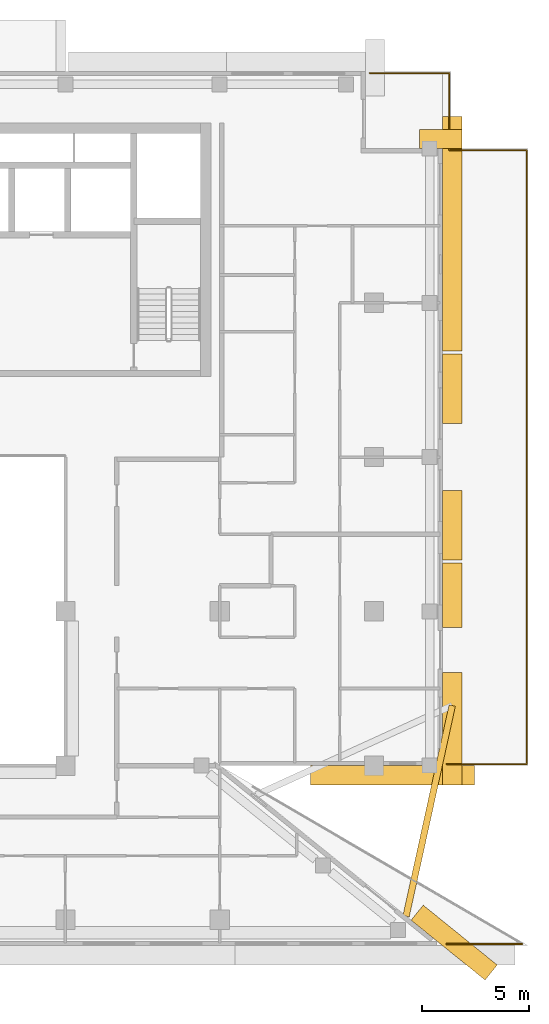
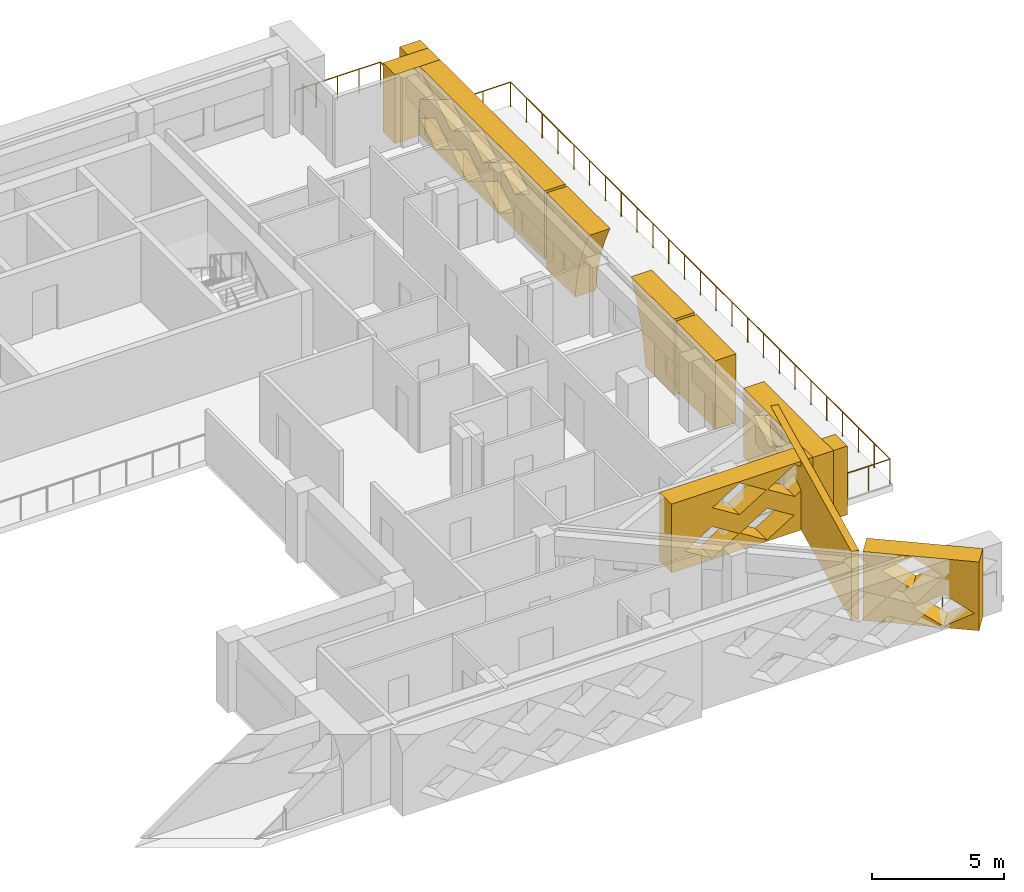
# One storey, part 19 of 19: 9 coverings, 2 railings.
"""IFC4 building model written with IfcOpenShell, lengths in metres."""

from ifc_helpers import new_model, si_unit, direction, frame, origin, origin_2d, place, context, subcontext, project, spatial, polyline, circle, outline, extrude, material, layer, layer_set, type_object, element, save


model = new_model("IFC4")

# Units and contexts
model_context = context("Model", 3, precision=1e-05, world=origin(), true_north=direction((0.0, 1.0)))
body_context = subcontext(model_context, "Body", "Model", "MODEL_VIEW")
ifc_project = project(units=[si_unit("LENGTHUNIT", "METRE"), si_unit("AREAUNIT", "SQUARE_METRE"), si_unit("VOLUMEUNIT", "CUBIC_METRE"), si_unit("PLANEANGLEUNIT", "RADIAN"), si_unit("MASSUNIT", "GRAM", prefix="KILO")], contexts=[model_context])

# Site, building, storey
site_placement = place(None, origin())
site = spatial("IfcSite", under=ifc_project, at=site_placement, CompositionType="ELEMENT")
building_placement = place(site_placement, origin())
building = spatial("IfcBuilding", under=site, at=building_placement, Name="Saffron Iwan Residences", CompositionType="ELEMENT")
storey_placement = place(building_placement, frame((0.0, 0.0, 211.5)))
storey = spatial("IfcBuildingStorey", under=building, at=storey_placement, Name="L56", CompositionType="ELEMENT", Elevation=211.5)

# Coverings
ifc_material_1 = material(Name="Precast concrete C40/50 white painted", Category="concrete")
covering_type_1 = type_object("IfcCoveringType", Name="IWAN PANEL PRECAST WHITE", PredefinedType="CLADDING", material=ifc_material_1)
covering_1_placement = place(storey_placement, frame((82.39990234375, 57.60009765625, -0.280029296875), z_axis=(1.0, 0.0, 0.0), x_axis=(0.0, 1.0, 0.0)))
element("IfcCovering", 1, at=covering_1_placement, inside=storey, type_object=covering_type_1, Name="Iwan panel L56 F2.0", PredefinedType="CLADDING", context=body_context, shape_type="SweptSolid", body=[
    extrude(outline(polyline([(0.0, 0.0), (0.0, 3.5), (3.233154296875, 3.5), (3.104736328125, 3.271484375), (2.8017578125, 2.614990234375), (2.55126953125, 1.93701171875), (2.354736328125, 1.241455078125), (2.21337890625, 0.532470703125), (2.150390625, 0.0), (0.0, 0.0)])), origin(), (0.0, 0.0, 1.0), 0.900146484375),
])
covering_2_placement = place(storey_placement, frame((82.39990234375, 57.60009765625, -0.280029296875), z_axis=(1.0, 0.0, 0.0), x_axis=(0.0, 1.0, 0.0)))
element("IfcCovering", 2, at=covering_2_placement, inside=storey, type_object=covering_type_1, Name="Iwan panel L56 F2.1", PredefinedType="CLADDING", context=body_context, shape_type="SweptSolid", body=[
    extrude(outline(polyline([(9.60009765625, 3.5), (9.60009765625, 0.0), (7.44970703125, 0.0), (7.386474609375, 0.532470703125), (7.245361328125, 1.241455078125), (7.048828125, 1.93701171875), (6.798095703125, 2.614990234375), (6.4951171875, 3.271484375), (6.366943359375, 3.5), (9.60009765625, 3.5)])), origin(), (0.0, 0.0, 1.0), 0.900146484375),
])
ifc_material_2 = material(Name="Precast concrete C40/50", Category="concrete")
covering_type_2 = type_object("IfcCoveringType", Name="OUTER SKIN LATTICE SCREEN", PredefinedType="CLADDING", material=ifc_material_2)
covering_3_placement = place(storey_placement, frame((84.387939453125, 37.994384765625, 0.050048828125), z_axis=(0.628558089533, 0.777762642509, 0.0), x_axis=(-0.777762642509, 0.628558089533, 0.0)))
element("IfcCovering", 3, at=covering_3_placement, inside=storey, type_object=covering_type_2, Name="OUTER SKIN lattice screen L56 F0.0", PredefinedType="CLADDING", context=body_context, shape_type="SweptSolid", body=[
    extrude(outline(polyline([(0.0, 0.0), (4.439697265625, 0.0), (4.439697265625, 3.169921875), (0.0, 3.169921875), (0.0, 0.0)]), holes=[polyline([(0.175537109375, 0.79248046875), (1.35546875, 0.06005859375), (2.535400390625, 0.79248046875), (1.35546875, 1.52490234375), (0.175537109375, 0.79248046875)]), polyline([(1.37548828125, 2.37744140625), (2.555419921875, 1.64501953125), (3.735595703125, 2.37744140625), (2.555419921875, 3.110107421875), (1.37548828125, 2.37744140625)])]), origin(), (0.0, 0.0, 1.0), 0.89990234375),
])
covering_4_placement = place(storey_placement, frame((76.235595703125, 48.0, 0.050048828125), z_axis=(0.0, -1.0, 0.0), x_axis=(1.0, 0.0, 0.0)))
element("IfcCovering", 4, at=covering_4_placement, inside=storey, type_object=covering_type_2, Name="OUTER SKIN lattice screen L56 F1.0", PredefinedType="CLADDING", context=body_context, shape_type="SweptSolid", body=[
    extrude(outline(polyline([(0.0, 0.0), (7.66455078125, 0.0), (7.66455078125, 3.169921875), (0.0, 3.169921875), (0.0, 0.0)]), holes=[polyline([(0.58447265625, 0.79248046875), (1.764404296875, 0.06005859375), (2.944580078125, 0.79248046875), (1.764404296875, 1.52490234375), (0.58447265625, 0.79248046875)]), polyline([(2.984619140625, 0.79248046875), (4.16455078125, 0.06005859375), (5.344482421875, 0.79248046875), (4.16455078125, 1.52490234375), (2.984619140625, 0.79248046875)]), polyline([(1.784423828125, 2.37744140625), (2.964599609375, 1.64501953125), (4.14453125, 2.37744140625), (2.964599609375, 3.110107421875), (1.784423828125, 2.37744140625)]), polyline([(4.1845703125, 2.37744140625), (5.364501953125, 1.64501953125), (6.54443359375, 2.37744140625), (5.364501953125, 3.110107421875), (4.1845703125, 2.37744140625)])]), origin(), (0.0, 0.0, 1.0), 0.89990234375),
])
covering_5_placement = place(storey_placement, frame((82.39990234375, 47.10009765625, 0.050048828125), z_axis=(1.0, 0.0, 0.0), x_axis=(0.0, 1.0, 0.0)))
element("IfcCovering", 5, at=covering_5_placement, inside=storey, type_object=covering_type_2, Name="OUTER SKIN lattice screen L56 F2.0", PredefinedType="CLADDING", context=body_context, shape_type="SweptSolid", body=[
    extrude(outline(polyline([(0.0, 0.0), (5.25, 0.0), (5.25, 3.169921875), (0.0, 3.169921875), (0.0, 0.0)]), holes=[polyline([(0.919921875, 0.79248046875), (2.10009765625, 0.06005859375), (3.280029296875, 0.79248046875), (2.10009765625, 1.52490234375), (0.919921875, 0.79248046875)]), polyline([(2.1201171875, 2.37744140625), (3.300048828125, 1.64501953125), (4.47998046875, 2.37744140625), (3.300048828125, 3.110107421875), (2.1201171875, 2.37744140625)])]), origin(), (0.0, 0.0, 1.0), 0.900146484375),
])
covering_6_placement = place(storey_placement, frame((82.39990234375, 54.449951171875, 0.050048828125), z_axis=(1.0, 0.0, 0.0), x_axis=(0.0, 1.0, 0.0)))
element("IfcCovering", 6, at=covering_6_placement, inside=storey, type_object=covering_type_2, Name="OUTER SKIN lattice screen L56 F2.1", PredefinedType="CLADDING", context=body_context, shape_type="SweptSolid", body=[
    extrude(outline(polyline([(0.0, 0.0), (3.0, 0.0), (3.0, 3.169921875), (0.0, 3.169921875), (0.0, 0.0)])), origin(), (0.0, 0.0, 1.0), 0.900146484375),
])
covering_7_placement = place(storey_placement, frame((82.39990234375, 67.35009765625, 0.050048828125), z_axis=(1.0, 0.0, 0.0), x_axis=(0.0, 1.0, 0.0)))
element("IfcCovering", 7, at=covering_7_placement, inside=storey, type_object=covering_type_2, Name="OUTER SKIN lattice screen L56 F2.2", PredefinedType="CLADDING", context=body_context, shape_type="SweptSolid", body=[
    extrude(outline(polyline([(0.0, 0.0), (10.949951171875, 0.0), (10.949951171875, 3.169921875), (0.0, 3.169921875), (0.0, 0.0)]), holes=[polyline([(2.27001953125, 0.79248046875), (3.449951171875, 0.06005859375), (4.6298828125, 0.79248046875), (3.449951171875, 1.52490234375), (2.27001953125, 0.79248046875)]), polyline([(4.669921875, 0.79248046875), (5.85009765625, 0.06005859375), (7.030029296875, 0.79248046875), (5.85009765625, 1.52490234375), (4.669921875, 0.79248046875)]), polyline([(7.070068359375, 0.79248046875), (8.25, 0.06005859375), (9.429931640625, 0.79248046875), (8.25, 1.52490234375), (7.070068359375, 0.79248046875)]), polyline([(1.070068359375, 2.37744140625), (2.25, 1.64501953125), (3.429931640625, 2.37744140625), (2.25, 3.110107421875), (1.070068359375, 2.37744140625)]), polyline([(3.469970703125, 2.37744140625), (4.64990234375, 1.64501953125), (5.830078125, 2.37744140625), (4.64990234375, 3.110107421875), (3.469970703125, 2.37744140625)]), polyline([(5.8701171875, 2.37744140625), (7.050048828125, 1.64501953125), (8.22998046875, 2.37744140625), (7.050048828125, 3.110107421875), (5.8701171875, 2.37744140625)]), polyline([(8.27001953125, 2.37744140625), (9.449951171875, 1.64501953125), (10.6298828125, 2.37744140625), (9.449951171875, 3.110107421875), (8.27001953125, 2.37744140625)])]), origin(), (0.0, 0.0, 1.0), 0.900146484375),
])
covering_8_placement = place(storey_placement, frame((83.300048828125, 76.800048828125, 0.050048828125), z_axis=(0.0, 1.0, 0.0), x_axis=(-1.0, 0.0, 0.0)))
element("IfcCovering", 8, at=covering_8_placement, inside=storey, type_object=covering_type_2, Name="OUTER SKIN lattice screen L56 F3.0", PredefinedType="CLADDING", context=body_context, shape_type="SweptSolid", body=[
    extrude(outline(polyline([(0.0, 0.0), (1.97509765625, 0.0), (1.97509765625, 3.169921875), (0.0, 3.169921875), (0.0, 0.0)])), origin(), (0.0, 0.0, 1.0), 0.89990234375),
])
ifc_layer = layer(ifc_material_1, 0.300048828125)
ifc_layer_set = layer_set([ifc_layer], Name="Precast concrete C40/50 white painted")
covering_type_3 = type_object("IfcCoveringType", Name="PROW NOSE BLADE PRECAST WHITE", PredefinedType="CLADDING", material=ifc_layer_set)
covering_9_placement = place(storey_placement, frame((0.0, 0.0, 0.050048828125)))
element("IfcCovering", 9, at=covering_9_placement, inside=storey, type_object=covering_type_3, Name="Prow nose blade L56 a", PredefinedType="CLADDING", context=body_context, shape_type="SweptSolid", body=[
    extrude(outline(polyline([(80.847412109375, 40.9404296875), (83.001708984375, 50.769287109375), (82.70849609375, 50.83349609375), (80.55419921875, 41.004638671875), (80.847412109375, 40.9404296875)])), origin(), (0.0, 0.0, 1.0), 3.169921875),
])

# Railings
ifc_material_3 = material(Name="Stainless steel 316", Category="steel")
railing_type = type_object("IfcRailingType", Name="TERRACE GUARD 1150", PredefinedType="BALUSTRADE", material=ifc_material_3)
railing_1_placement = place(storey_placement, frame((86.12255859375, 39.675048828125, 0.050048828125)))
element("IfcRailing", 10, at=railing_1_placement, inside=storey, type_object=railing_type, Name="Terrace guard L56 1", PredefinedType="BALUSTRADE", context=body_context, shape_type="SweptSolid", body=[
    extrude(circle(Radius=0.02392578125, at=origin_2d()), frame((0.0, 0.0, 1.1259765625), z_axis=(-1.0, 0.0, 0.0), x_axis=(0.0, -1.0, 0.0)), (0.0, 0.0, 1.0), 3.537353515625),
    extrude(circle(Radius=0.02099609375, at=origin_2d()), origin(), (0.0, 0.0, 1.0), 1.101806640625),
    extrude(circle(Radius=0.02099609375, at=origin_2d()), frame((-1.17919921875, 0.0, 0.0)), (0.0, 0.0, 1.0), 1.101806640625),
    extrude(circle(Radius=0.02099609375, at=origin_2d()), frame((-2.358154296875, 0.0, 0.0)), (0.0, 0.0, 1.0), 1.101806640625),
    extrude(circle(Radius=0.02099609375, at=origin_2d()), frame((-3.537353515625, 0.0, 0.0)), (0.0, 0.0, 1.0), 1.101806640625),
])
railing_2_placement = place(storey_placement, frame((79.0, 80.324951171875, 0.050048828125)))
element("IfcRailing", 11, at=railing_2_placement, inside=storey, type_object=railing_type, Name="Terrace guard L56 3", PredefinedType="BALUSTRADE", context=body_context, shape_type="SweptSolid", body=[
    extrude(circle(Radius=0.02392578125, at=origin_2d()), frame((0.0, 0.0, 1.1259765625), z_axis=(1.0, 0.0, 0.0), x_axis=(0.0, 1.0, 0.0)), (0.0, 0.0, 1.0), 3.72509765625),
    extrude(circle(Radius=0.02392578125, at=origin_2d()), frame((3.72509765625, 0.0, 1.1259765625), z_axis=(0.0, -1.0, 0.0), x_axis=(1.0, 0.0, 0.0)), (0.0, 0.0, 1.0), 3.599853515625),
    extrude(circle(Radius=0.02392578125, at=origin_2d()), frame((3.72509765625, -3.599853515625, 1.1259765625), z_axis=(1.0, 0.0, 0.0), x_axis=(0.0, 1.0, 0.0)), (0.0, 0.0, 1.0), 3.599853515625),
    extrude(circle(Radius=0.02392578125, at=origin_2d()), frame((7.324951171875, -3.599853515625, 1.1259765625), z_axis=(0.0, -1.0, 0.0), x_axis=(1.0, 0.0, 0.0)), (0.0, 0.0, 1.0), 28.650146484375),
    extrude(circle(Radius=0.02392578125, at=origin_2d()), frame((7.324951171875, -32.25, 1.1259765625), z_axis=(-1.0, 0.0, 0.0), x_axis=(0.0, -1.0, 0.0)), (0.0, 0.0, 1.0), 3.724853515625),
    extrude(circle(Radius=0.02099609375, at=origin_2d()), origin(), (0.0, 0.0, 1.0), 1.101806640625),
    extrude(circle(Radius=0.02099609375, at=origin_2d()), frame((0.93115234375, 0.0, 0.0)), (0.0, 0.0, 1.0), 1.101806640625),
    extrude(circle(Radius=0.02099609375, at=origin_2d()), frame((1.862548828125, 0.0, 0.0)), (0.0, 0.0, 1.0), 1.101806640625),
    extrude(circle(Radius=0.02099609375, at=origin_2d()), frame((2.7939453125, 0.0, 0.0)), (0.0, 0.0, 1.0), 1.101806640625),
    extrude(circle(Radius=0.02099609375, at=origin_2d()), frame((3.72509765625, 0.0, 0.0)), (0.0, 0.0, 1.0), 1.101806640625),
    extrude(circle(Radius=0.02099609375, at=origin_2d()), frame((3.72509765625, -1.199951171875, 0.0)), (0.0, 0.0, 1.0), 1.101806640625),
    extrude(circle(Radius=0.02099609375, at=origin_2d()), frame((3.72509765625, -2.39990234375, 0.0)), (0.0, 0.0, 1.0), 1.101806640625),
    extrude(circle(Radius=0.02099609375, at=origin_2d()), frame((3.72509765625, -3.599853515625, 0.0)), (0.0, 0.0, 1.0), 1.101806640625),
    extrude(circle(Radius=0.02099609375, at=origin_2d()), frame((4.925048828125, -3.599853515625, 0.0)), (0.0, 0.0, 1.0), 1.101806640625),
    extrude(circle(Radius=0.02099609375, at=origin_2d()), frame((6.125, -3.599853515625, 0.0)), (0.0, 0.0, 1.0), 1.101806640625),
    extrude(circle(Radius=0.02099609375, at=origin_2d()), frame((7.324951171875, -3.599853515625, 0.0)), (0.0, 0.0, 1.0), 1.101806640625),
    extrude(circle(Radius=0.02099609375, at=origin_2d()), frame((7.324951171875, -4.793701171875, 0.0)), (0.0, 0.0, 1.0), 1.101806640625),
    extrude(circle(Radius=0.02099609375, at=origin_2d()), frame((7.324951171875, -5.9873046875, 0.0)), (0.0, 0.0, 1.0), 1.101806640625),
    extrude(circle(Radius=0.02099609375, at=origin_2d()), frame((7.324951171875, -7.18115234375, 0.0)), (0.0, 0.0, 1.0), 1.101806640625),
    extrude(circle(Radius=0.02099609375, at=origin_2d()), frame((7.324951171875, -8.375, 0.0)), (0.0, 0.0, 1.0), 1.101806640625),
    extrude(circle(Radius=0.02099609375, at=origin_2d()), frame((7.324951171875, -9.568603515625, 0.0)), (0.0, 0.0, 1.0), 1.101806640625),
    extrude(circle(Radius=0.02099609375, at=origin_2d()), frame((7.324951171875, -10.762451171875, 0.0)), (0.0, 0.0, 1.0), 1.101806640625),
    extrude(circle(Radius=0.02099609375, at=origin_2d()), frame((7.324951171875, -11.9560546875, 0.0)), (0.0, 0.0, 1.0), 1.101806640625),
    extrude(circle(Radius=0.02099609375, at=origin_2d()), frame((7.324951171875, -13.14990234375, 0.0)), (0.0, 0.0, 1.0), 1.101806640625),
    extrude(circle(Radius=0.02099609375, at=origin_2d()), frame((7.324951171875, -14.34375, 0.0)), (0.0, 0.0, 1.0), 1.101806640625),
    extrude(circle(Radius=0.02099609375, at=origin_2d()), frame((7.324951171875, -15.537353515625, 0.0)), (0.0, 0.0, 1.0), 1.101806640625),
    extrude(circle(Radius=0.02099609375, at=origin_2d()), frame((7.324951171875, -16.731201171875, 0.0)), (0.0, 0.0, 1.0), 1.101806640625),
    extrude(circle(Radius=0.02099609375, at=origin_2d()), frame((7.324951171875, -17.9248046875, 0.0)), (0.0, 0.0, 1.0), 1.101806640625),
    extrude(circle(Radius=0.02099609375, at=origin_2d()), frame((7.324951171875, -19.11865234375, 0.0)), (0.0, 0.0, 1.0), 1.101806640625),
    extrude(circle(Radius=0.02099609375, at=origin_2d()), frame((7.324951171875, -20.3125, 0.0)), (0.0, 0.0, 1.0), 1.101806640625),
    extrude(circle(Radius=0.02099609375, at=origin_2d()), frame((7.324951171875, -21.506103515625, 0.0)), (0.0, 0.0, 1.0), 1.101806640625),
    extrude(circle(Radius=0.02099609375, at=origin_2d()), frame((7.324951171875, -22.699951171875, 0.0)), (0.0, 0.0, 1.0), 1.101806640625),
    extrude(circle(Radius=0.02099609375, at=origin_2d()), frame((7.324951171875, -23.893798828125, 0.0)), (0.0, 0.0, 1.0), 1.101806640625),
    extrude(circle(Radius=0.02099609375, at=origin_2d()), frame((7.324951171875, -25.08740234375, 0.0)), (0.0, 0.0, 1.0), 1.101806640625),
    extrude(circle(Radius=0.02099609375, at=origin_2d()), frame((7.324951171875, -26.28125, 0.0)), (0.0, 0.0, 1.0), 1.101806640625),
    extrude(circle(Radius=0.02099609375, at=origin_2d()), frame((7.324951171875, -27.47509765625, 0.0)), (0.0, 0.0, 1.0), 1.101806640625),
    extrude(circle(Radius=0.02099609375, at=origin_2d()), frame((7.324951171875, -28.668701171875, 0.0)), (0.0, 0.0, 1.0), 1.101806640625),
    extrude(circle(Radius=0.02099609375, at=origin_2d()), frame((7.324951171875, -29.862548828125, 0.0)), (0.0, 0.0, 1.0), 1.101806640625),
    extrude(circle(Radius=0.02099609375, at=origin_2d()), frame((7.324951171875, -31.05615234375, 0.0)), (0.0, 0.0, 1.0), 1.101806640625),
    extrude(circle(Radius=0.02099609375, at=origin_2d()), frame((7.324951171875, -32.25, 0.0)), (0.0, 0.0, 1.0), 1.101806640625),
    extrude(circle(Radius=0.02099609375, at=origin_2d()), frame((6.393798828125, -32.25, 0.0)), (0.0, 0.0, 1.0), 1.101806640625),
    extrude(circle(Radius=0.02099609375, at=origin_2d()), frame((5.46240234375, -32.25, 0.0)), (0.0, 0.0, 1.0), 1.101806640625),
    extrude(circle(Radius=0.02099609375, at=origin_2d()), frame((4.53125, -32.25, 0.0)), (0.0, 0.0, 1.0), 1.101806640625),
    extrude(circle(Radius=0.02099609375, at=origin_2d()), frame((3.60009765625, -32.25, 0.0)), (0.0, 0.0, 1.0), 1.101806640625),
])

save(model, "model.ifc")
